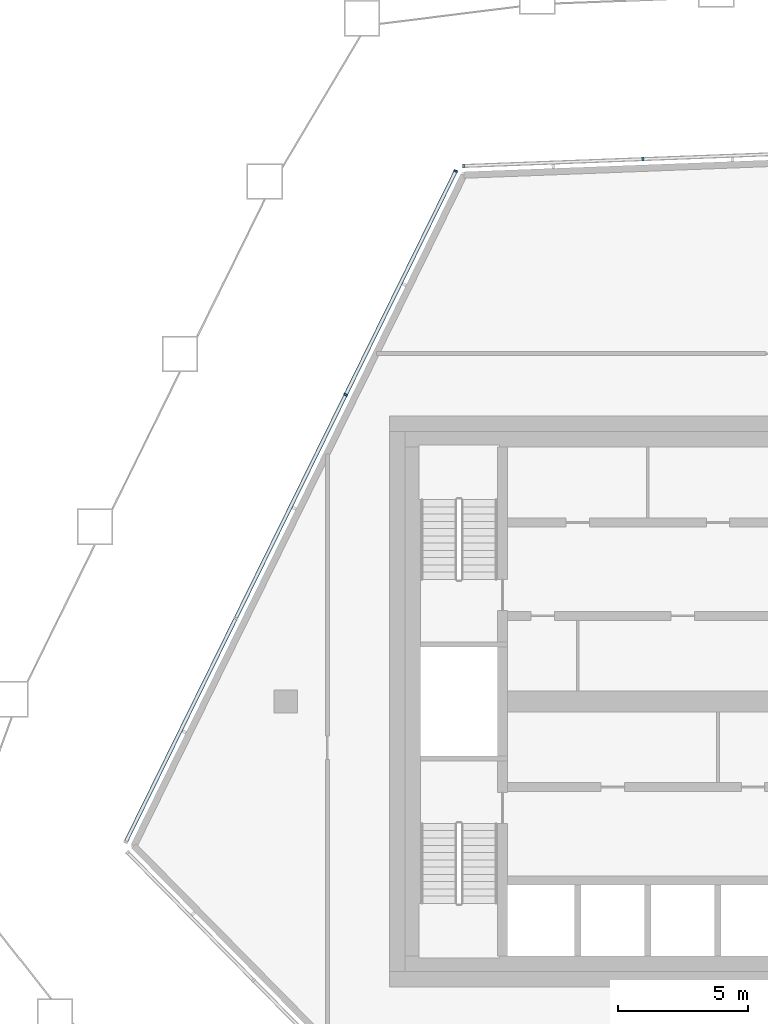
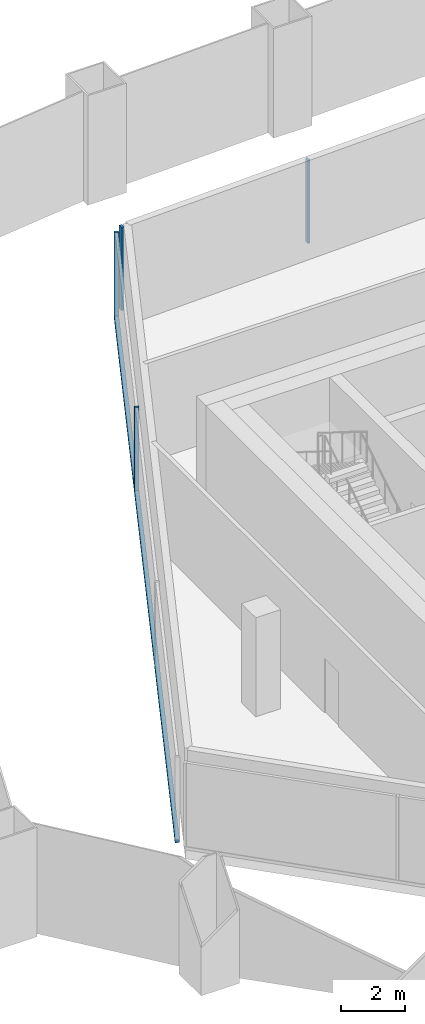
# One storey, part 5 of 18: 5 members, 2 elements without a shape of their own.
"""IFC4 building model written with IfcOpenShell, lengths in metres."""

from ifc_helpers import new_model, si_unit, direction, frame, origin, origin_2d, place, context, subcontext, project, spatial, rectangle, extrude, material, layer, layer_set, material_profile, profile_set, type_object, element, aggregate, save


model = new_model("IFC4")

# Units and contexts
model_context = context("Model", 3, precision=1e-05, world=origin(), true_north=direction((0.0, 1.0)))
body_context = subcontext(model_context, "Body", "Model", "MODEL_VIEW")
ifc_project = project(units=[si_unit("LENGTHUNIT", "METRE"), si_unit("AREAUNIT", "SQUARE_METRE"), si_unit("VOLUMEUNIT", "CUBIC_METRE"), si_unit("PLANEANGLEUNIT", "RADIAN"), si_unit("MASSUNIT", "GRAM", prefix="KILO")], contexts=[model_context])

# Site, building, storey
site_placement = place(None, origin())
site = spatial("IfcSite", under=ifc_project, at=site_placement, CompositionType="ELEMENT")
building_placement = place(site_placement, origin())
building = spatial("IfcBuilding", under=site, at=building_placement, Name="Dongbaek Canopy Tower", CompositionType="ELEMENT")
storey_placement = place(building_placement, frame((0.0, 0.0, 359.0)))
storey = spatial("IfcBuildingStorey", under=building, at=storey_placement, Name="L77", CompositionType="ELEMENT", Elevation=359.0)

# Curtain wall, members
ifc_material_1 = material(Name="Aluminium 6063-T6 pale anodised", Category="aluminium")
ifc_layer = layer(ifc_material_1, 0.14990234375)
ifc_layer_set = layer_set([ifc_layer], Name="CW-7 louvre curtain wall")
curtain_wall_type = type_object("IfcCurtainWallType", Name="CW-7 louvre curtain wall", PredefinedType="NOTDEFINED", material=ifc_layer_set)
curtain_wall_1_placement = place(storey_placement, origin())
curtain_wall_1 = element("IfcCurtainWall", 1, at=curtain_wall_1_placement, inside=storey, type_object=curtain_wall_type, Name="CW-7 louvre wall L77 F3", PredefinedType="NOTDEFINED")
ifc_material_2 = material(Name="Aluminium 6063-T6 pale anodised", Category="aluminium")
ifc_material_profile_1 = material_profile(ifc_material_2, rectangle(XDim=0.14990234375, YDim=0.080078125, at=origin_2d()), Name="CW-7 mullion 80 x 150")
ifc_profile_set_1 = profile_set([ifc_material_profile_1], Name="Aluminium 6063-T6 pale anodised")
member_type_1 = type_object("IfcMemberType", Name="CW-7 mullion 80 x 150", PredefinedType="MULLION", material=ifc_profile_set_1)
member_1_placement = place(storey_placement, frame((-4.24462890625, 20.893798828125, 0.300048828125), z_axis=(0.0, 0.0, 1.0), x_axis=(-0.038231979514, 0.999268890611, 0.0)))
member_1 = element("IfcMember", 2, at=member_1_placement, type_object=member_type_1, Name="CW-7 mullion L77 F3.1.3", PredefinedType="MULLION", context=body_context, shape_type="SweptSolid", body=[
    extrude(rectangle(XDim=0.14990234375, YDim=0.080078125, at=origin_2d()), origin(), (0.0, 0.0, 1.0), 3.199951171875),
])
member_2_placement = place(storey_placement, frame((-11.15185546875, 20.62939453125, 0.300048828125), z_axis=(0.0, 0.0, 1.0), x_axis=(-0.038231979514, 0.999268890611, 0.0)))
member_2 = element("IfcMember", 3, at=member_2_placement, type_object=member_type_1, Name="CW-7 mullion L77 F3.1.4", PredefinedType="MULLION", context=body_context, shape_type="SweptSolid", body=[
    extrude(rectangle(XDim=0.14990234375, YDim=0.080078125, at=origin_2d()), origin(), (0.0, 0.0, 1.0), 3.199951171875),
])
aggregate(curtain_wall_1, [member_1, member_2])

curtain_wall_2_placement = place(storey_placement, origin())
curtain_wall_2 = element("IfcCurtainWall", 4, at=curtain_wall_2_placement, inside=storey, type_object=curtain_wall_type, Name="CW-7 louvre wall L77 F4", PredefinedType="NOTDEFINED")
member_3_placement = place(storey_placement, frame((-11.452392578125, 20.43408203125, 0.300048828125), z_axis=(0.0, 0.0, 1.0), x_axis=(-0.897339163834, 0.441341619439, 0.0)))
member_3 = element("IfcMember", 5, at=member_3_placement, type_object=member_type_1, Name="CW-7 mullion L77 F4.1.1", PredefinedType="MULLION", context=body_context, shape_type="SweptSolid", body=[
    extrude(rectangle(XDim=0.14990234375, YDim=0.080078125, at=origin_2d()), origin(), (0.0, 0.0, 1.0), 3.199951171875),
])
member_4_placement = place(storey_placement, frame((-15.690185546875, 11.818359375, 0.300048828125), z_axis=(0.0, 0.0, 1.0), x_axis=(-0.897339163834, 0.441341619439, 0.0)))
member_4 = element("IfcMember", 6, at=member_4_placement, type_object=member_type_1, Name="CW-7 mullion L77 F4.1.2", PredefinedType="MULLION", context=body_context, shape_type="SweptSolid", body=[
    extrude(rectangle(XDim=0.14990234375, YDim=0.080078125, at=origin_2d()), origin(), (0.0, 0.0, 1.0), 3.199951171875),
])
ifc_material_3 = material(Name="Aluminium 6063-T6 pale anodised", Category="aluminium")
ifc_material_profile_2 = material_profile(ifc_material_3, rectangle(XDim=0.14990234375, YDim=0.1201171875, at=origin_2d()), Name="CW-7 transom 120 x 150")
ifc_profile_set_2 = profile_set([ifc_material_profile_2], Name="Aluminium 6063-T6 pale anodised")
member_type_2 = type_object("IfcMemberType", Name="CW-7 transom 120 x 150", PredefinedType="USERDEFINED", material=ifc_profile_set_2)
member_5_placement = place(storey_placement, frame((-11.452392578125, 20.43408203125, 0.239990234375), z_axis=(-0.441345612399, -0.897337199951, 0.0), x_axis=(0.897337199951, -0.441345612399, 0.0)))
member_5 = element("IfcMember", 7, at=member_5_placement, type_object=member_type_2, Name="CW-7 transom L77 F4.1", ObjectType="TRANSOM", PredefinedType="USERDEFINED", context=body_context, shape_type="SweptSolid", body=[
    extrude(rectangle(XDim=0.14990234375, YDim=0.1201171875, at=origin_2d()), origin(), (0.0, 0.0, 1.0), 28.804931640625),
])
aggregate(curtain_wall_2, [member_5, member_3, member_4])

save(model, "model.ifc")
